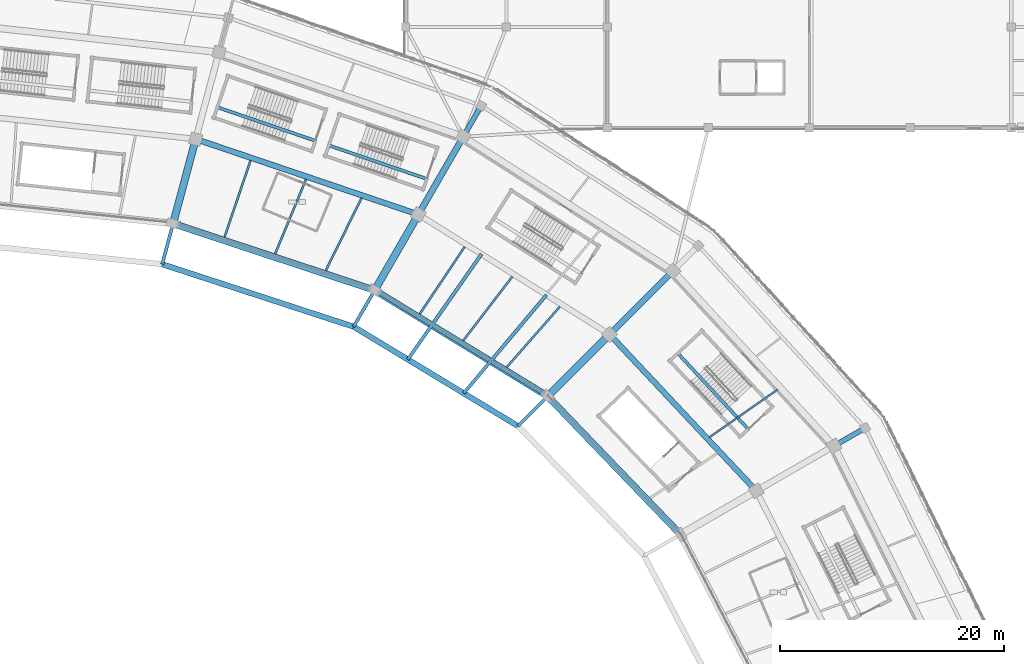
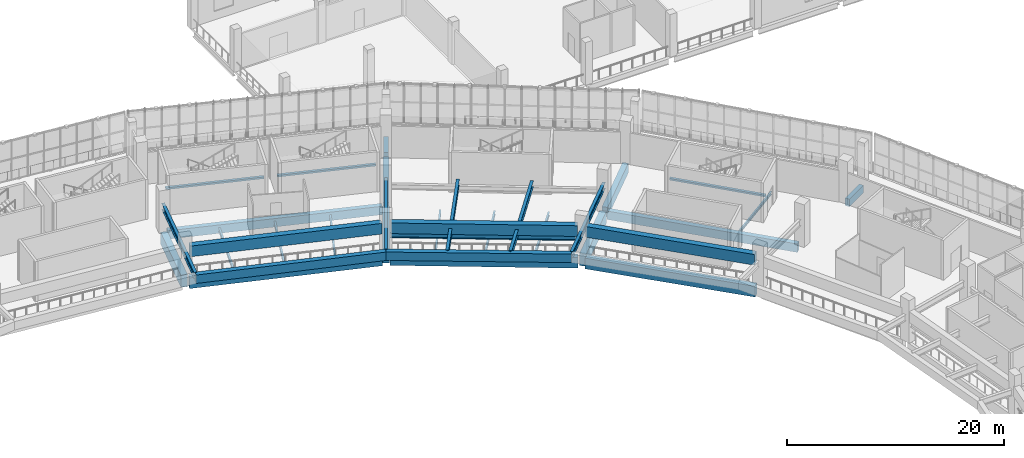
# One storey, part 63 of 179: 33 beams.
"""IFC4 building model written with IfcOpenShell, lengths in metres."""

from ifc_helpers import new_model, si_unit, direction, frame, origin, origin_2d, place, context, subcontext, project, spatial, rectangle, i_section, extrude, material, material_profile, profile_set, type_object, element, save


model = new_model("IFC4")

# Units and contexts
model_context = context("Model", 3, precision=1e-05, world=origin(), true_north=direction((0.0, 1.0)))
body_context = subcontext(model_context, "Body", "Model", "MODEL_VIEW")
ifc_project = project(units=[si_unit("LENGTHUNIT", "METRE"), si_unit("AREAUNIT", "SQUARE_METRE"), si_unit("VOLUMEUNIT", "CUBIC_METRE"), si_unit("PLANEANGLEUNIT", "RADIAN"), si_unit("MASSUNIT", "GRAM", prefix="KILO")], contexts=[model_context])

# Site, building, storey
site_placement = place(None, origin())
site = spatial("IfcSite", under=ifc_project, at=site_placement, CompositionType="ELEMENT")
building_placement = place(site_placement, origin())
building = spatial("IfcBuilding", under=site, at=building_placement, Name="Zevraka Park Crest Stadium", CompositionType="ELEMENT")
storey_placement = place(building_placement, frame((0.0, 0.0, 10.199951171875)))
storey = spatial("IfcBuildingStorey", under=building, at=storey_placement, Name="L02", CompositionType="ELEMENT", Elevation=10.199951171875)

# Beams
ifc_material_1 = material(Name="Concrete C40/50", Category="concrete")
ifc_material_profile_1 = material_profile(ifc_material_1, rectangle(XDim=0.64990234375, YDim=1.35009765625, at=origin_2d()), Name="RC 1350x650")
ifc_profile_set_1 = profile_set([ifc_material_profile_1], Name="Concrete C40/50")
beam_type_1 = type_object("IfcBeamType", Name="BG01", PredefinedType="BEAM", material=ifc_profile_set_1)
beam_1_placement = place(storey_placement, frame((164.89111328125, 134.284912109375, -0.68505859375), z_axis=(0.707157639372, 0.707055919343, 0.0), x_axis=(-0.707055919343, 0.707157639372, 0.0)))
element("IfcBeam", 1, at=beam_1_placement, inside=storey, type_object=beam_type_1, Name="Radial Girder BG01 L02-BC-03", PredefinedType="BEAM", context=body_context, shape_type="SweptSolid", body=[
    extrude(rectangle(XDim=0.64990234375, YDim=1.35009765625, at=origin_2d()), origin(), (0.0, 0.0, 1.0), 7.200439453125),
])
beam_2_placement = place(storey_placement, frame((149.39990234375, 143.7890625, -0.68505859375), z_axis=(0.500041424909, 0.866001485781, 0.0), x_axis=(-0.866001485781, 0.500041424909, 0.0)))
element("IfcBeam", 2, at=beam_2_placement, inside=storey, type_object=beam_type_1, Name="Radial Girder BG01 L02-BC-04", PredefinedType="BEAM", context=body_context, shape_type="SweptSolid", body=[
    extrude(rectangle(XDim=0.64990234375, YDim=1.35009765625, at=origin_2d()), origin(), (0.0, 0.0, 1.0), 7.19970703125),
])
beam_3_placement = place(storey_placement, frame((131.360107421875, 149.762939453125, -0.68505859375), z_axis=(0.258747385792, 0.965945024495, 0.0), x_axis=(-0.965945024495, 0.258747385792, 0.0)))
element("IfcBeam", 3, at=beam_3_placement, inside=storey, type_object=beam_type_1, Name="Radial Girder BG01 L02-BC-05", PredefinedType="BEAM", context=body_context, shape_type="SweptSolid", body=[
    extrude(rectangle(XDim=0.64990234375, YDim=1.35009765625, at=origin_2d()), origin(), (0.0, 0.0, 1.0), 7.19921875),
])
ifc_material_2 = material(Name="Concrete C40/50", Category="concrete")
ifc_material_profile_2 = material_profile(ifc_material_2, rectangle(XDim=0.550048828125, YDim=1.10009765625, at=origin_2d()), Name="RC 1100x550")
ifc_profile_set_2 = profile_set([ifc_material_profile_2], Name="Concrete C40/50")
beam_type_2 = type_object("IfcBeamType", Name="BG02", PredefinedType="BEAM", material=ifc_profile_set_2)
beam_4_placement = place(storey_placement, frame((170.406982421875, 139.800048828125, -0.56005859375), z_axis=(0.707106781187, 0.707106781187, 0.0), x_axis=(-0.707106781187, 0.707106781187, 0.0)))
element("IfcBeam", 4, at=beam_4_placement, inside=storey, type_object=beam_type_2, Name="Radial Girder BG02 L02-CD-03", PredefinedType="BEAM", context=body_context, shape_type="SweptSolid", body=[
    extrude(rectangle(XDim=0.550048828125, YDim=1.10009765625, at=origin_2d()), origin(), (0.0, 0.0, 1.0), 7.400390625),
])
beam_5_placement = place(storey_placement, frame((153.300048828125, 150.5439453125, -0.56005859375), z_axis=(0.500031859608, 0.86600700885, 0.0), x_axis=(-0.86600700885, 0.500031859608, 0.0)))
element("IfcBeam", 5, at=beam_5_placement, inside=storey, type_object=beam_type_2, Name="Radial Girder BG02 L02-CD-04", PredefinedType="BEAM", context=body_context, shape_type="SweptSolid", body=[
    extrude(rectangle(XDim=0.550048828125, YDim=1.10009765625, at=origin_2d()), origin(), (0.0, 0.0, 1.0), 7.3994140625),
])
ifc_material_3 = material(Name="Concrete C40/50", Category="concrete")
ifc_material_profile_3 = material_profile(ifc_material_3, rectangle(XDim=0.449951171875, YDim=0.85009765625, at=origin_2d()), Name="RC 850x450")
ifc_profile_set_3 = profile_set([ifc_material_profile_3], Name="Concrete C40/50")
beam_type_3 = type_object("IfcBeamType", Name="BG03", PredefinedType="BEAM", material=ifc_profile_set_3)
for number, where, z_axis, x_axis, name in (
    (6, (190.4619140625, 129.800048828125, -0.43505859375), (0.865950948929, 0.500128937424, 0.0), (-0.500128937424, 0.865950948929, 0.0), "Radial Girder BG03 L02-DE-02"),
    (7, (157.300048828125, 157.471923828125, -0.43505859375), (0.500128937424, 0.865950948929, 0.0), (-0.865950948929, 0.500128937424, 0.0), "Radial Girder BG03 L02-DE-04"),
):
    element("IfcBeam", number, at=place(storey_placement, frame(where, z_axis=z_axis, x_axis=x_axis)), inside=storey, type_object=beam_type_3, Name=name, PredefinedType="BEAM", context=body_context, shape_type="SweptSolid", body=[
        extrude(rectangle(XDim=0.449951171875, YDim=0.85009765625, at=origin_2d()), origin(), (0.0, 0.0, 1.0), 2.599365234375),
    ])
ifc_material_4 = material(Name="Steel S355", Category="steel")
ifc_material_profile_4 = material_profile(ifc_material_4, i_section(OverallWidth=0.300048828125, OverallDepth=0.699951171875, WebThickness=0.01708984375, FlangeThickness=0.031982421875, at=origin_2d()), Name="HEB 700")
ifc_profile_set_4 = profile_set([ifc_material_profile_4], Name="Steel S355")
beam_type_4 = type_object("IfcBeamType", Name="BG06", PredefinedType="BEAM", material=ifc_profile_set_4)
beam_6_placement = place(storey_placement, frame((170.195068359375, 139.587890625, 2.670166015625), z_axis=(-0.707106781187, -0.707106781187, 0.0), x_axis=(0.707106781187, -0.707106781187, 0.0)))
element("IfcBeam", 8, at=beam_6_placement, inside=storey, type_object=beam_type_4, Name="Upper Tier Back-Spanned Cantilever Girder BG06 03", PredefinedType="BEAM", context=body_context, shape_type="SweptSolid", body=[
    extrude(i_section(OverallWidth=0.300048828125, OverallDepth=0.699951171875, WebThickness=0.01708984375, FlangeThickness=0.031982421875, at=origin_2d()), origin(), (0.0, 0.0, 1.0), 11.5498046875),
])
beam_7_placement = place(storey_placement, frame((164.570068359375, 143.117919921875, 2.670166015625), z_axis=(-0.643584623332, -0.7653749621, 0.0), x_axis=(0.7653749621, -0.643584623332, 0.0)))
element("IfcBeam", 9, at=beam_7_placement, inside=storey, type_object=beam_type_4, Name="Upper Tier Vomitory Cantilever Girder BG06 03-V1", PredefinedType="BEAM", context=body_context, shape_type="SweptSolid", body=[
    extrude(i_section(OverallWidth=0.300048828125, OverallDepth=0.699951171875, WebThickness=0.01708984375, FlangeThickness=0.031982421875, at=origin_2d()), origin(), (0.0, 0.0, 1.0), 11.46240234375),
])
beam_8_placement = place(storey_placement, frame((158.77490234375, 146.75390625, 2.670166015625), z_axis=(-0.572704517581, -0.819761877341, 0.0), x_axis=(0.819761877341, -0.572704517581, 0.0)))
element("IfcBeam", 10, at=beam_8_placement, inside=storey, type_object=beam_type_4, Name="Upper Tier Vomitory Cantilever Girder BG06 03-V2", PredefinedType="BEAM", context=body_context, shape_type="SweptSolid", body=[
    extrude(i_section(OverallWidth=0.300048828125, OverallDepth=0.699951171875, WebThickness=0.01708984375, FlangeThickness=0.031982421875, at=origin_2d()), origin(), (0.0, 0.0, 1.0), 11.463134765625),
])
beam_9_placement = place(storey_placement, frame((153.14990234375, 150.283935546875, 2.670166015625), z_axis=(-0.499981051965, -0.866036343161, 0.0), x_axis=(0.866036343161, -0.499981051965, 0.0)))
element("IfcBeam", 11, at=beam_9_placement, inside=storey, type_object=beam_type_4, Name="Upper Tier Back-Spanned Cantilever Girder BG06 04", PredefinedType="BEAM", context=body_context, shape_type="SweptSolid", body=[
    extrude(i_section(OverallWidth=0.300048828125, OverallDepth=0.699951171875, WebThickness=0.01708984375, FlangeThickness=0.031982421875, at=origin_2d()), origin(), (0.0, 0.0, 1.0), 11.55029296875),
])
beam_10_placement = place(storey_placement, frame((133.301025390625, 157.007080078125, 2.670166015625), z_axis=(-0.258858286006, -0.965915310866, 0.0), x_axis=(0.965915310866, -0.258858286006, 0.0)))
element("IfcBeam", 12, at=beam_10_placement, inside=storey, type_object=beam_type_4, Name="Upper Tier Back-Spanned Cantilever Girder BG06 05", PredefinedType="BEAM", context=body_context, shape_type="SweptSolid", body=[
    extrude(i_section(OverallWidth=0.300048828125, OverallDepth=0.699951171875, WebThickness=0.01708984375, FlangeThickness=0.031982421875, at=origin_2d()), origin(), (0.0, 0.0, 1.0), 11.55078125),
])
ifc_material_5 = material(Name="Concrete C40/50", Category="concrete")
ifc_material_profile_5 = material_profile(ifc_material_5, rectangle(XDim=0.60009765625, YDim=1.199951171875, at=origin_2d()), Name="RC 1200x600")
ifc_profile_set_5 = profile_set([ifc_material_profile_5], Name="Concrete C40/50")
beam_type_5 = type_object("IfcBeamType", Name="RB01", PredefinedType="BEAM", material=ifc_profile_set_5)
beam_11_placement = place(storey_placement, frame((176.256103515625, 122.02392578125, -0.60986328125), z_axis=(-0.692852617328, 0.721079226342, 0.0), x_axis=(-0.721079226342, -0.692852617328, 0.0)))
element("IfcBeam", 13, at=beam_11_placement, inside=storey, type_object=beam_type_5, Name="Ring Beam RB01 L02-B-02", PredefinedType="BEAM", context=body_context, shape_type="SweptSolid", body=[
    extrude(rectangle(XDim=0.60009765625, YDim=1.199951171875, at=origin_2d()), origin(), (0.0, 0.0, 1.0), 16.329833984375),
])
beam_12_placement = place(storey_placement, frame((164.35498046875, 134.27197265625, -0.60986328125), z_axis=(-0.852632623571, 0.522510869956, 0.0), x_axis=(-0.522510869956, -0.852632623571, 0.0)))
element("IfcBeam", 14, at=beam_12_placement, inside=storey, type_object=beam_type_5, Name="Ring Beam RB01 L02-B-03", PredefinedType="BEAM", context=body_context, shape_type="SweptSolid", body=[
    extrude(rectangle(XDim=0.60009765625, YDim=1.199951171875, at=origin_2d()), origin(), (0.0, 0.0, 1.0), 17.335693359375),
])
beam_13_placement = place(storey_placement, frame((148.888916015625, 143.64794921875, -0.60986328125), z_axis=(-0.949383863235, 0.314118258349, 0.0), x_axis=(-0.314118258349, -0.949383863235, 0.0)))
element("IfcBeam", 15, at=beam_13_placement, inside=storey, type_object=beam_type_5, Name="Ring Beam RB01 L02-B-04", PredefinedType="BEAM", context=body_context, shape_type="SweptSolid", body=[
    extrude(rectangle(XDim=0.60009765625, YDim=1.199951171875, at=origin_2d()), origin(), (0.0, 0.0, 1.0), 18.165283203125),
])
beam_14_placement = place(storey_placement, frame((176.22802734375, 122.052978515625, 2.965087890625), z_axis=(-0.692842332428, 0.721089108499, 0.0), x_axis=(-0.721089108499, -0.692842332428, 0.0)))
element("IfcBeam", 16, at=beam_14_placement, inside=storey, type_object=beam_type_5, Name="Upper Tier Fulcrum Raker Ring Beam RB01 02", PredefinedType="BEAM", context=body_context, shape_type="SweptSolid", body=[
    extrude(rectangle(XDim=0.60009765625, YDim=1.199951171875, at=origin_2d()), origin(), (0.0, 0.0, 1.0), 16.2490234375),
])
beam_15_placement = place(storey_placement, frame((164.321044921875, 134.2919921875, 2.965087890625), z_axis=(-0.852592509161, 0.522576322964, 0.0), x_axis=(-0.522576322964, -0.852592509161, 0.0)))
element("IfcBeam", 17, at=beam_15_placement, inside=storey, type_object=beam_type_5, Name="Upper Tier Fulcrum Raker Ring Beam RB01 03", PredefinedType="BEAM", context=body_context, shape_type="SweptSolid", body=[
    extrude(rectangle(XDim=0.60009765625, YDim=1.199951171875, at=origin_2d()), origin(), (0.0, 0.0, 1.0), 17.2568359375),
])
beam_16_placement = place(storey_placement, frame((148.85107421875, 143.660888671875, 2.965087890625), z_axis=(-0.949397677667, 0.314076502845, 0.0), x_axis=(-0.314076502845, -0.949397677667, 0.0)))
element("IfcBeam", 18, at=beam_16_placement, inside=storey, type_object=beam_type_5, Name="Upper Tier Fulcrum Raker Ring Beam RB01 04", PredefinedType="BEAM", context=body_context, shape_type="SweptSolid", body=[
    extrude(rectangle(XDim=0.60009765625, YDim=1.199951171875, at=origin_2d()), origin(), (0.0, 0.0, 1.0), 18.085205078125),
])
ifc_material_6 = material(Name="Concrete C40/50", Category="concrete")
ifc_material_profile_6 = material_profile(ifc_material_6, rectangle(XDim=0.5, YDim=0.949951171875, at=origin_2d()), Name="RC 950x500")
ifc_profile_set_6 = profile_set([ifc_material_profile_6], Name="Concrete C40/50")
beam_type_6 = type_object("IfcBeamType", Name="RB02", PredefinedType="BEAM", material=ifc_profile_set_6)
beam_17_placement = place(storey_placement, frame((183.013916015625, 125.927001953125, -0.48486328125), z_axis=(-0.684268936493, 0.729229746068, 0.0), x_axis=(-0.729229746068, -0.684268936493, 0.0)))
element("IfcBeam", 19, at=beam_17_placement, inside=storey, type_object=beam_type_6, Name="Ring Beam RB02 L02-C-02", PredefinedType="BEAM", context=body_context, shape_type="SweptSolid", body=[
    extrude(rectangle(XDim=0.5, YDim=0.949951171875, at=origin_2d()), origin(), (0.0, 0.0, 1.0), 18.353759765625),
])
beam_18_placement = place(storey_placement, frame((152.7900390625, 150.406005859375, -0.48486328125), z_axis=(-0.947147952377, 0.320797064058, 0.0), x_axis=(-0.320797064058, -0.947147952377, 0.0)))
element("IfcBeam", 20, at=beam_18_placement, inside=storey, type_object=beam_type_6, Name="Ring Beam RB02 L02-C-04", PredefinedType="BEAM", context=body_context, shape_type="SweptSolid", body=[
    extrude(rectangle(XDim=0.5, YDim=0.949951171875, at=origin_2d()), origin(), (0.0, 0.0, 1.0), 20.196533203125),
])
beam_19_placement = place(storey_placement, frame((162.01904296875, 131.426025390625, 2.400146484375), z_axis=(-0.85571184536, 0.517452642964, 0.0), x_axis=(-0.517452642964, -0.85571184536, 0.0)))
element("IfcBeam", 21, at=beam_19_placement, inside=storey, type_object=beam_type_6, Name="Upper Tier Front Nose Ring Beam RB02 03", PredefinedType="BEAM", context=body_context, shape_type="SweptSolid", body=[
    extrude(rectangle(XDim=0.5, YDim=0.949951171875, at=origin_2d()), origin(), (0.0, 0.0, 1.0), 17.102783203125),
])
beam_20_placement = place(storey_placement, frame((147.364990234375, 140.283935546875, 2.400146484375), z_axis=(-0.950644645156, 0.31028174074, 0.0), x_axis=(-0.31028174074, -0.950644645156, 0.0)))
element("IfcBeam", 22, at=beam_20_placement, inside=storey, type_object=beam_type_6, Name="Upper Tier Front Nose Ring Beam RB02 04", PredefinedType="BEAM", context=body_context, shape_type="SweptSolid", body=[
    extrude(rectangle(XDim=0.5, YDim=0.949951171875, at=origin_2d()), origin(), (0.0, 0.0, 1.0), 17.9287109375),
])
ifc_material_7 = material(Name="Steel S355", Category="steel")
ifc_material_profile_7 = material_profile(ifc_material_7, i_section(OverallWidth=0.300048828125, OverallDepth=0.550048828125, WebThickness=0.014892578125, FlangeThickness=0.029052734375, at=origin_2d()), Name="HEB 550")
ifc_profile_set_7 = profile_set([ifc_material_profile_7], Name="Steel S355")
beam_type_7 = type_object("IfcBeamType", Name="RB04", PredefinedType="BEAM", material=ifc_profile_set_7)
beam_21_placement = place(storey_placement, frame((164.337890625, 134.281982421875, 2.047119140625), z_axis=(-0.852608758437, 0.522549811058, 0.0), x_axis=(-0.522549811058, -0.852608758437, 0.0)))
element("IfcBeam", 23, at=beam_21_placement, inside=storey, type_object=beam_type_7, Name="Vomitory Cantilever Fulcrum Support Beam RB04 03", PredefinedType="BEAM", context=body_context, shape_type="SweptSolid", body=[
    extrude(i_section(OverallWidth=0.300048828125, OverallDepth=0.550048828125, WebThickness=0.014892578125, FlangeThickness=0.029052734375, at=origin_2d()), origin(), (0.0, 0.0, 1.0), 17.296142578125),
])
ifc_material_8 = material(Name="Steel S355", Category="steel")
ifc_material_profile_8 = material_profile(ifc_material_8, i_section(OverallWidth=0.159912109375, OverallDepth=0.330078125, WebThickness=0.007568359375, FlangeThickness=0.011474609375, at=origin_2d()), Name="IPE 330")
ifc_profile_set_8 = profile_set([ifc_material_profile_8], Name="Steel S355")
beam_type_8 = type_object("IfcBeamType", Name="SJ08", PredefinedType="JOIST", material=ifc_profile_set_8)
beam_22_placement = place(storey_placement, frame((179.114990234375, 130.43603515625, -0.452880859375), z_axis=(0.819262921224, 0.573418055093, 0.0), x_axis=(-0.573418055093, 0.819262921224, 0.0)))
element("IfcBeam", 24, at=beam_22_placement, inside=storey, type_object=beam_type_8, Name="Floor Joist SJ08 L02-CD-02-1", PredefinedType="JOIST", context=body_context, shape_type="SweptSolid", body=[
    extrude(i_section(OverallWidth=0.159912109375, OverallDepth=0.330078125, WebThickness=0.007568359375, FlangeThickness=0.011474609375, at=origin_2d()), origin(), (0.0, 0.0, 1.0), 7.3994140625),
])
ifc_material_9 = material(Name="Steel S355", Category="steel")
ifc_material_profile_9 = material_profile(ifc_material_9, i_section(OverallWidth=0.179931640625, OverallDepth=0.39990234375, WebThickness=0.008544921875, FlangeThickness=0.013427734375, at=origin_2d()), Name="IPE 400")
ifc_profile_set_9 = profile_set([ifc_material_profile_9], Name="Steel S355")
beam_type_9 = type_object("IfcBeamType", Name="SJ09", PredefinedType="JOIST", material=ifc_profile_set_9)
beam_23_placement = place(storey_placement, frame((161.030029296875, 136.674072265625, -0.488037109375), z_axis=(0.659576187041, 0.751637714254, 0.0), x_axis=(-0.751637714254, 0.659576187041, 0.0)))
element("IfcBeam", 25, at=beam_23_placement, inside=storey, type_object=beam_type_9, Name="Floor Joist SJ09 L02-BC-03-1", PredefinedType="JOIST", context=body_context, shape_type="SweptSolid", body=[
    extrude(i_section(OverallWidth=0.179931640625, OverallDepth=0.39990234375, WebThickness=0.008544921875, FlangeThickness=0.013427734375, at=origin_2d()), origin(), (0.0, 0.0, 1.0), 7.189453125),
])
beam_24_placement = place(storey_placement, frame((157.156005859375, 139.051025390625, -0.488037109375), z_axis=(0.608774451346, 0.793343347731, 0.0), x_axis=(-0.793343347731, 0.608774451346, 0.0)))
element("IfcBeam", 26, at=beam_24_placement, inside=storey, type_object=beam_type_9, Name="Floor Joist SJ09 L02-BC-03-2", PredefinedType="JOIST", context=body_context, shape_type="SweptSolid", body=[
    extrude(i_section(OverallWidth=0.179931640625, OverallDepth=0.39990234375, WebThickness=0.008544921875, FlangeThickness=0.013427734375, at=origin_2d()), origin(), (0.0, 0.0, 1.0), 7.17333984375),
])
beam_25_placement = place(storey_placement, frame((153.281982421875, 141.427001953125, -0.488037109375), z_axis=(0.555366097338, 0.831605975164, 0.0), x_axis=(-0.831605975164, 0.555366097338, 0.0)))
element("IfcBeam", 27, at=beam_25_placement, inside=storey, type_object=beam_type_9, Name="Floor Joist SJ09 L02-BC-03-3", PredefinedType="JOIST", context=body_context, shape_type="SweptSolid", body=[
    extrude(i_section(OverallWidth=0.179931640625, OverallDepth=0.39990234375, WebThickness=0.008544921875, FlangeThickness=0.013427734375, at=origin_2d()), origin(), (0.0, 0.0, 1.0), 7.189697265625),
])
beam_26_placement = place(storey_placement, frame((144.89697265625, 145.297119140625, -0.488037109375), z_axis=(0.442549118131, 0.896744265686, 0.0), x_axis=(-0.896744265686, 0.442549118131, 0.0)))
element("IfcBeam", 28, at=beam_26_placement, inside=storey, type_object=beam_type_9, Name="Floor Joist SJ09 L02-BC-04-1", PredefinedType="JOIST", context=body_context, shape_type="SweptSolid", body=[
    extrude(i_section(OverallWidth=0.179931640625, OverallDepth=0.39990234375, WebThickness=0.008544921875, FlangeThickness=0.013427734375, at=origin_2d()), origin(), (0.0, 0.0, 1.0), 7.1904296875),
])
beam_27_placement = place(storey_placement, frame((140.386962890625, 146.7919921875, -0.488037109375), z_axis=(0.382700487371, 0.923872467912, 0.0), x_axis=(-0.923872467912, 0.382700487371, 0.0)))
element("IfcBeam", 29, at=beam_27_placement, inside=storey, type_object=beam_type_9, Name="Floor Joist SJ09 L02-BC-04-2", PredefinedType="JOIST", context=body_context, shape_type="SweptSolid", body=[
    extrude(i_section(OverallWidth=0.179931640625, OverallDepth=0.39990234375, WebThickness=0.008544921875, FlangeThickness=0.013427734375, at=origin_2d()), origin(), (0.0, 0.0, 1.0), 7.173095703125),
])
beam_28_placement = place(storey_placement, frame((135.875, 148.284912109375, -0.488037109375), z_axis=(0.321275682742, 0.946985710388, 0.0), x_axis=(-0.946985710388, 0.321275682742, 0.0)))
element("IfcBeam", 30, at=beam_28_placement, inside=storey, type_object=beam_type_9, Name="Floor Joist SJ09 L02-BC-04-3", PredefinedType="JOIST", context=body_context, shape_type="SweptSolid", body=[
    extrude(i_section(OverallWidth=0.179931640625, OverallDepth=0.39990234375, WebThickness=0.008544921875, FlangeThickness=0.013427734375, at=origin_2d()), origin(), (0.0, 0.0, 1.0), 7.190185546875),
])
ifc_material_10 = material(Name="Concrete C40/50", Category="concrete")
ifc_material_profile_10 = material_profile(ifc_material_10, rectangle(XDim=0.280029296875, YDim=0.199951171875, at=origin_2d()), Name="RC 200x280")
ifc_profile_set_10 = profile_set([ifc_material_profile_10], Name="Concrete C40/50")
beam_type_10 = type_object("IfcBeamType", Name="SJ13", PredefinedType="JOIST", material=ifc_profile_set_10)
beam_29_placement = place(storey_placement, frame((182.544677734375, 131.1572265625, 2.300048828125), z_axis=(-0.680247587728, 0.732982414107, 0.0), x_axis=(-0.732982414107, -0.680247587728, 0.0)))
element("IfcBeam", 31, at=beam_29_placement, inside=storey, type_object=beam_type_10, Name="Stair Upper-Flight Longitudinal Stringer SJ13 ST03-L02", PredefinedType="JOIST", context=body_context, shape_type="SweptSolid", body=[
    extrude(rectangle(XDim=0.280029296875, YDim=0.199951171875, at=origin_2d()), origin(), (0.0, 0.0, 1.0), 9.25),
])
beam_30_placement = place(storey_placement, frame((153.882080078125, 153.457763671875, 2.300048828125), z_axis=(-0.946065027556, 0.323976794902, 0.0), x_axis=(-0.323976794902, -0.946065027556, 0.0)))
element("IfcBeam", 32, at=beam_30_placement, inside=storey, type_object=beam_type_10, Name="Stair Upper-Flight Longitudinal Stringer SJ13 ST05-L02", PredefinedType="JOIST", context=body_context, shape_type="SweptSolid", body=[
    extrude(rectangle(XDim=0.280029296875, YDim=0.199951171875, at=origin_2d()), origin(), (0.0, 0.0, 1.0), 9.250244140625),
])
beam_31_placement = place(storey_placement, frame((143.947998046875, 156.85888671875, 2.300048828125), z_axis=(-0.946062257195, 0.323984884697, 0.0), x_axis=(-0.323984884697, -0.946062257195, 0.0)))
element("IfcBeam", 33, at=beam_31_placement, inside=storey, type_object=beam_type_10, Name="Stair Upper-Flight Longitudinal Stringer SJ13 ST25-L02", PredefinedType="JOIST", context=body_context, shape_type="SweptSolid", body=[
    extrude(rectangle(XDim=0.280029296875, YDim=0.199951171875, at=origin_2d()), origin(), (0.0, 0.0, 1.0), 9.25),
])

save(model, "model.ifc")
